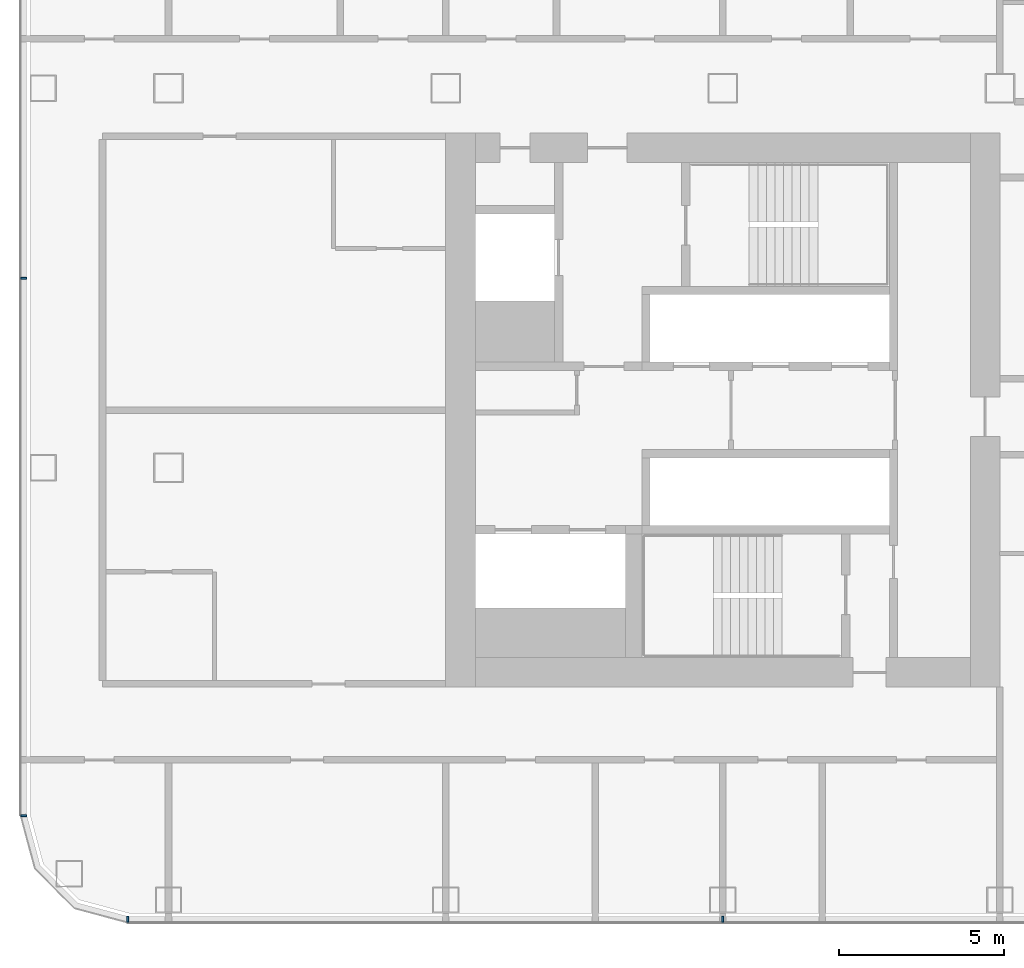
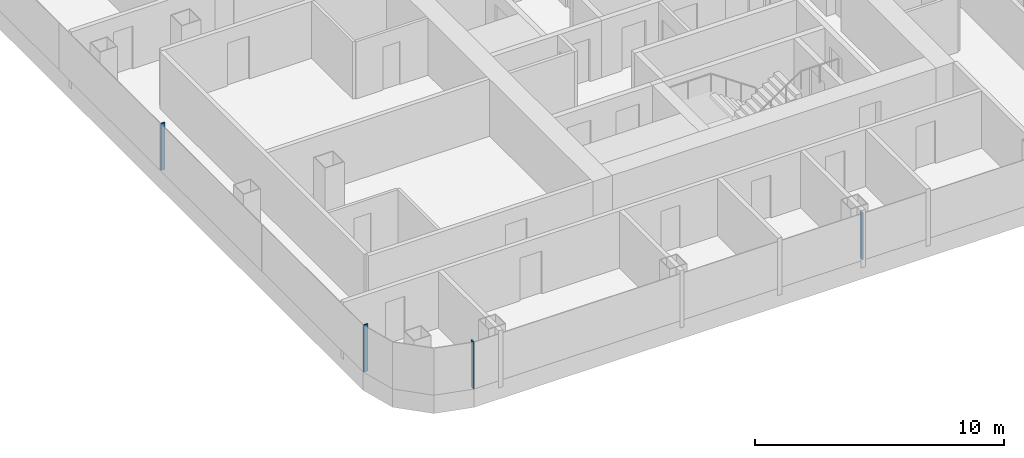
# One storey, part 2 of 29: 4 members, 2 elements without a shape of their own.
"""IFC4 building model written with IfcOpenShell, lengths in metres."""

from ifc_helpers import new_model, si_unit, direction, frame, origin, origin_2d, place, context, subcontext, project, spatial, rectangle, extrude, material, layer, layer_set, material_profile, profile_set, type_object, element, aggregate, save


model = new_model("IFC4")

# Units and contexts
model_context = context("Model", 3, precision=1e-05, world=origin(), true_north=direction((0.0, 1.0)))
body_context = subcontext(model_context, "Body", "Model", "MODEL_VIEW")
ifc_project = project(units=[si_unit("LENGTHUNIT", "METRE"), si_unit("AREAUNIT", "SQUARE_METRE"), si_unit("VOLUMEUNIT", "CUBIC_METRE"), si_unit("PLANEANGLEUNIT", "RADIAN"), si_unit("MASSUNIT", "GRAM", prefix="KILO")], contexts=[model_context])

# Site, building, storey
site_placement = place(None, origin())
site = spatial("IfcSite", under=ifc_project, at=site_placement, CompositionType="ELEMENT")
building_placement = place(site_placement, origin())
building = spatial("IfcBuilding", under=site, at=building_placement, Name="Hakoniwa Tower and Hamabe Station Hall", CompositionType="ELEMENT")
storey_placement = place(building_placement, frame((0.0, 0.0, 101.0)))
storey = spatial("IfcBuildingStorey", under=building, at=storey_placement, Name="L28", CompositionType="ELEMENT", Elevation=101.0)

# Curtain wall, members
ifc_material_1 = material(Name="Dark low-e laminated glass", Category="glass")
ifc_layer = layer(ifc_material_1, 0.199951171875)
ifc_layer_set = layer_set([ifc_layer], Name="CW-1 UNITISED GUEST")
curtain_wall_type = type_object("IfcCurtainWallType", Name="CW-1 UNITISED GUEST", PredefinedType="NOTDEFINED", material=ifc_layer_set)
curtain_wall_1_placement = place(storey_placement, origin())
curtain_wall_1 = element("IfcCurtainWall", 1, at=curtain_wall_1_placement, inside=storey, type_object=curtain_wall_type, Name="CW-1 curtain wall", PredefinedType="NOTDEFINED")
ifc_material_2 = material(Name="Aluminium 6063-T5 black anodised", Category="aluminium")
ifc_material_profile = material_profile(ifc_material_2, rectangle(XDim=0.06005859375, YDim=0.179931640625, at=origin_2d()), Name="CW-1 MULLION 60X180")
ifc_profile_set = profile_set([ifc_material_profile], Name="Aluminium 6063-T5 black anodised")
member_type = type_object("IfcMemberType", Name="CW-1 MULLION 60X180", PredefinedType="MULLION", material=ifc_profile_set)
member_1_placement = place(storey_placement, frame((-46.382080078125, 4.0, 0.35009765625), z_axis=(0.0, 0.0, 1.0), x_axis=(0.0, -1.0, 0.0)))
member_1 = element("IfcMember", 2, at=member_1_placement, type_object=member_type, Name="CW-1 mullion", PredefinedType="MULLION", context=body_context, shape_type="SweptSolid", body=[
    extrude(rectangle(XDim=0.06005859375, YDim=0.179931640625, at=origin_2d()), origin(), (0.0, 0.0, 1.0), 2.2998046875),
])
member_2_placement = place(storey_placement, frame((-46.382080078125, -12.28955078125, 0.35009765625), z_axis=(0.0, 0.0, 1.0), x_axis=(0.0, -1.0, 0.0)))
member_2 = element("IfcMember", 3, at=member_2_placement, type_object=member_type, Name="CW-1 mullion", PredefinedType="MULLION", context=body_context, shape_type="SweptSolid", body=[
    extrude(rectangle(XDim=0.06005859375, YDim=0.179931640625, at=origin_2d()), origin(), (0.0, 0.0, 1.0), 2.2998046875),
])
aggregate(curtain_wall_1, [member_1, member_2])

curtain_wall_2_placement = place(storey_placement, origin())
curtain_wall_2 = element("IfcCurtainWall", 4, at=curtain_wall_2_placement, inside=storey, type_object=curtain_wall_type, Name="CW-1 curtain wall", PredefinedType="NOTDEFINED")
member_3_placement = place(storey_placement, frame((-43.239501953125, -15.431884765625, 0.35009765625), z_axis=(0.0, 0.0, 1.0), x_axis=(1.0, 0.0, 0.0)))
member_3 = element("IfcMember", 5, at=member_3_placement, type_object=member_type, Name="CW-1 mullion", PredefinedType="MULLION", context=body_context, shape_type="SweptSolid", body=[
    extrude(rectangle(XDim=0.06005859375, YDim=0.179931640625, at=origin_2d()), origin(), (0.0, 0.0, 1.0), 2.2998046875),
])
member_4_placement = place(storey_placement, frame((-25.199951171875, -15.431884765625, 0.35009765625), z_axis=(0.0, 0.0, 1.0), x_axis=(1.0, 0.0, 0.0)))
member_4 = element("IfcMember", 6, at=member_4_placement, type_object=member_type, Name="CW-1 mullion", PredefinedType="MULLION", context=body_context, shape_type="SweptSolid", body=[
    extrude(rectangle(XDim=0.06005859375, YDim=0.179931640625, at=origin_2d()), origin(), (0.0, 0.0, 1.0), 2.2998046875),
])
aggregate(curtain_wall_2, [member_3, member_4])

save(model, "model.ifc")
